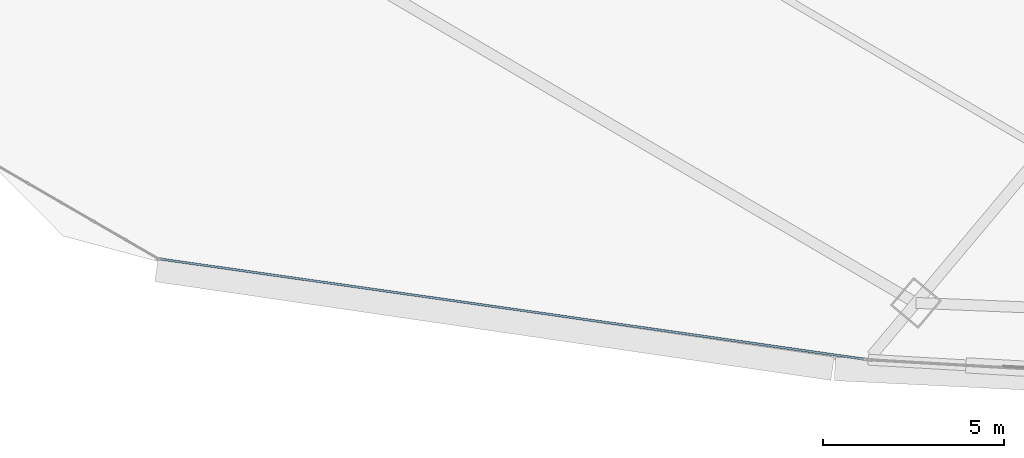
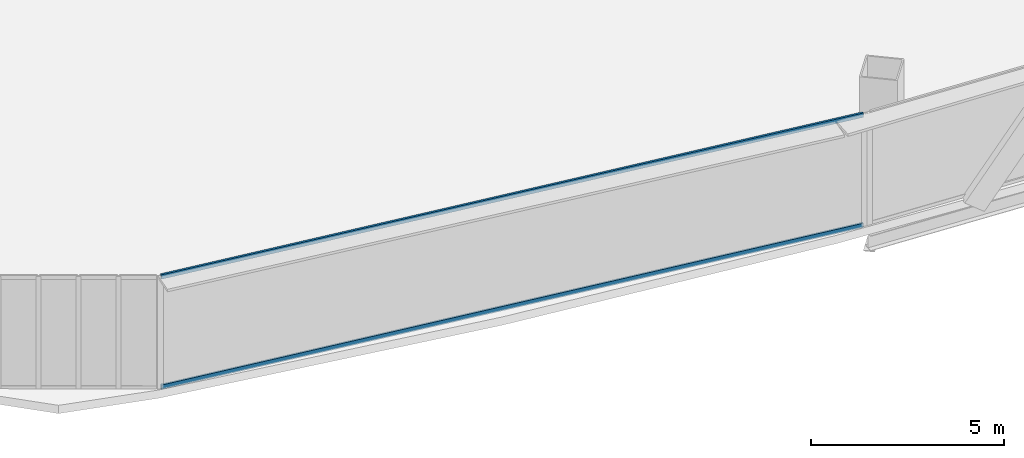
# One storey, part 3 of 39: 2 members, 1 element without a shape of its own.
"""IFC4 building model written with IfcOpenShell, lengths in metres."""

import ifcopenshell
import ifcopenshell.guid

model = None  # the IFC model being written
_history = None  # IfcOwnerHistory: only IFC2X3 demands one
_inside = {}  # id of a spatial element -> (the spatial element, [elements in it])
_under = {}  # id of a project, library or spatial element -> (it, [spatial elements below it])
_declared = {}  # id of a project -> (the project, [libraries it declares])
_typed = {}  # id of a type object -> (the type object, [elements of that type])
_made_of = {}  # id of a material, layer set ... -> (it, [elements and type objects made of it])


def new_model(schema):
    """Start an empty IFC model of exactly this schema.

    Asked for "IFC4X3", IfcOpenShell would pick the latest addendum, in which some entities
    have other attributes; the version numbers below select the first issue.
    IFC2X3 requires an IfcOwnerHistory on every rooted entity: one is made here for all.
    """
    global model, _history
    if schema == "IFC4X3":
        model = ifcopenshell.file(schema_version=(4, 3, 0, 0))
    else:
        model = ifcopenshell.file(schema=schema)
    _inside.clear()
    _under.clear()
    _declared.clear()
    _typed.clear()
    _made_of.clear()
    _history = None
    if model.schema == "IFC2X3":
        org = make("IfcOrganization", Name="unknown")
        user = make(
            "IfcPersonAndOrganization",
            ThePerson=make("IfcPerson", FamilyName="unknown"),
            TheOrganization=org,
        )
        app = make(
            "IfcApplication",
            ApplicationDeveloper=org,
            Version="unknown",
            ApplicationFullName="unknown",
            ApplicationIdentifier="unknown",
        )
        _history = make(
            "IfcOwnerHistory",
            OwningUser=user,
            OwningApplication=app,
            ChangeAction="ADDED",
            CreationDate=0,
        )
    return model


def make(cls, **values):
    """One entity of the class cls with the attributes given. An attribute that is None is left unset."""
    return model.create_entity(
        cls, **{name: value for name, value in values.items() if value is not None}
    )


def rooted(cls, **values):
    """An entity with a GlobalId (a new one), such as an element, a storey or a relation."""
    return make(cls, GlobalId=ifcopenshell.guid.new(), OwnerHistory=_history, **values)


def si_unit(unit_type, name, prefix=None):
    """IfcSIUnit, for example si_unit("LENGTHUNIT", "METRE", prefix="MILLI")."""
    return make("IfcSIUnit", UnitType=unit_type, Prefix=prefix, Name=name)


def assignment(units):
    """IfcUnitAssignment: the units of a project."""
    return None if units is None else make("IfcUnitAssignment", Units=units)


def point(xyz):
    """IfcCartesianPoint."""
    return None if xyz is None else make("IfcCartesianPoint", Coordinates=xyz)


def direction(xyz):
    """IfcDirection."""
    return None if xyz is None else make("IfcDirection", DirectionRatios=xyz)


def frame(location, z_axis=None, x_axis=None):
    """IfcAxis2Placement3D, a coordinate frame: its origin and axes. An axis left out is left unset."""
    return make(
        "IfcAxis2Placement3D",
        Location=point(location),
        Axis=direction(z_axis),
        RefDirection=direction(x_axis),
    )


def frame_2d(location, x_axis=None):
    """IfcAxis2Placement2D, a coordinate frame in the plane: its origin and x axis."""
    return make(
        "IfcAxis2Placement2D", Location=point(location), RefDirection=direction(x_axis)
    )


def origin():
    """The frame at (0, 0, 0) with its axes left unset."""
    return frame((0.0, 0.0, 0.0))


def origin_2d():
    """The frame at (0, 0) in the plane with its x axis left unset."""
    return frame_2d((0.0, 0.0))


def place(relative_to, where):
    """IfcLocalPlacement: puts the frame where relative to a parent placement (None: the world)."""
    return make(
        "IfcLocalPlacement", PlacementRelTo=relative_to, RelativePlacement=where
    )


def context(
    kind, dimensions, precision=None, world=None, true_north=None, identifier=None
):
    """IfcGeometricRepresentationContext, for example the 3D "Model" context."""
    return make(
        "IfcGeometricRepresentationContext",
        ContextIdentifier=identifier,
        ContextType=kind,
        CoordinateSpaceDimension=dimensions,
        Precision=precision,
        WorldCoordinateSystem=world,
        TrueNorth=true_north,
    )


def subcontext(parent, identifier, kind, view, scale=None):
    """IfcGeometricRepresentationSubContext, for example "Body" below "Model"."""
    return make(
        "IfcGeometricRepresentationSubContext",
        ContextIdentifier=identifier,
        ContextType=kind,
        ParentContext=parent,
        TargetScale=scale,
        TargetView=view,
    )


def project(units=None, contexts=None):
    """IfcProject with its units and contexts."""
    return rooted(
        "IfcProject",
        Name="project",
        RepresentationContexts=contexts,
        UnitsInContext=assignment(units),
    )


def spatial(cls, under=None, at=None, **own):
    """A site, building, storey or space (cls), placed at a placement, below another one or the project."""
    s = rooted(cls, ObjectPlacement=at, **own)
    if under is not None:
        _under.setdefault(under.id(), (under, []))[1].append(s)
    return s


def profile(cls, at=None, kind="AREA", **sizes):
    """A parametric profile (cls). Its sizes go by their IFC names, for example OverallWidth=200.0."""
    return make(cls, ProfileType=kind, Position=at, **sizes)


def hollow_rectangle(**sizes):
    """IfcRectangleHollowProfileDef."""
    return profile("IfcRectangleHollowProfileDef", **sizes)


def extrude(swept, where, along, depth):
    """IfcExtrudedAreaSolid: the profile swept, set in the frame where, extruded along a direction by depth."""
    return make(
        "IfcExtrudedAreaSolid",
        SweptArea=swept,
        Position=where,
        ExtrudedDirection=direction(along),
        Depth=depth,
    )


def shape(context_of_items, identifier, shape_type, items):
    """IfcShapeRepresentation: the items that make up one representation, for example the "Body"."""
    return make(
        "IfcShapeRepresentation",
        ContextOfItems=context_of_items,
        RepresentationIdentifier=identifier,
        RepresentationType=shape_type,
        Items=items,
    )


def source(mapping_origin, context_of_items, identifier, shape_type, items):
    """IfcRepresentationMap: a shape defined once, which mapped items show again and again."""
    return make(
        "IfcRepresentationMap",
        MappingOrigin=mapping_origin,
        MappedRepresentation=shape(context_of_items, identifier, shape_type, items),
    )


def transform(
    local_origin,
    x_axis=None,
    y_axis=None,
    z_axis=None,
    scale=None,
    scale2=None,
    scale3=None,
    uniform=True,
):
    """IfcCartesianTransformationOperator3D, or its non-uniform kind. x_axis, y_axis, z_axis: its Axis1, 2, 3."""
    if uniform:
        return make(
            "IfcCartesianTransformationOperator3D",
            Axis1=direction(x_axis),
            Axis2=direction(y_axis),
            LocalOrigin=point(local_origin),
            Scale=scale,
            Axis3=direction(z_axis),
        )
    return make(
        "IfcCartesianTransformationOperator3DnonUniform",
        Axis1=direction(x_axis),
        Axis2=direction(y_axis),
        LocalOrigin=point(local_origin),
        Scale=scale,
        Axis3=direction(z_axis),
        Scale2=scale2,
        Scale3=scale3,
    )


def mapped(mapping_source, mapping_target):
    """IfcMappedItem: shows the shape of a source again, moved by a transform."""
    return make(
        "IfcMappedItem", MappingSource=mapping_source, MappingTarget=mapping_target
    )


def material(Name=None, Category=None):
    """IfcMaterial."""
    return make("IfcMaterial", Name=Name, Category=Category)


def layer(
    of_material, thickness, ventilated=None, Name=None, Category=None, Priority=None
):
    """IfcMaterialLayer: one layer of a wall or slab, of a material (None: an air gap)."""
    return make(
        "IfcMaterialLayer",
        Material=of_material,
        LayerThickness=thickness,
        IsVentilated=ventilated,
        Name=Name,
        Category=Category,
        Priority=Priority,
    )


def layer_set(layers, Name=None):
    """IfcMaterialLayerSet."""
    return make("IfcMaterialLayerSet", MaterialLayers=layers, LayerSetName=Name)


def material_profile(
    of_material, cross_section, Name=None, Category=None, Priority=None
):
    """IfcMaterialProfile: a cross section and its material."""
    return make(
        "IfcMaterialProfile",
        Name=Name,
        Material=of_material,
        Profile=cross_section,
        Priority=Priority,
        Category=Category,
    )


def profile_set(profiles, Name=None, composite=None):
    """IfcMaterialProfileSet."""
    return make(
        "IfcMaterialProfileSet",
        Name=Name,
        MaterialProfiles=profiles,
        CompositeProfile=composite,
    )


def made_of(thing, what):
    """Note that an element or type object is made of a material, layer set ...; save() writes the relation."""
    if what is not None:
        _made_of.setdefault(what.id(), (what, []))[1].append(thing)
    return thing


def type_object(cls, material=None, **own):
    """A type object (cls), such as IfcWallType, which elements share."""
    return made_of(rooted(cls, **own), material)


def element(
    cls,
    number,
    at=None,
    inside=None,
    cuts=None,
    type_object=None,
    material=None,
    context=None,
    identifier="Body",
    shape_type=None,
    held_by="IfcProductDefinitionShape",
    body=None,
    shapes=None,
    **own,
):
    """One element of the class cls, such as IfcWall. Its Tag is "e" and its number.

    at: its placement. inside: the storey or other place that contains it. cuts: it is an
    opening in that element (IfcRelVoidsElement). A single representation is given by context,
    identifier, shape_type and body (its items); several are given by shapes. held_by: the class
    of the entity that holds the representations. save() writes the other relations.
    """
    e = rooted(cls, Tag="e%d" % number, ObjectPlacement=at, **own)
    if body is not None:
        shapes = [shape(context, identifier, shape_type, body)]
    if shapes is not None:
        e.Representation = make(held_by, Representations=shapes)
    if inside is not None:
        _inside.setdefault(inside.id(), (inside, []))[1].append(e)
    if cuts is not None:
        rooted(
            "IfcRelVoidsElement", RelatingBuildingElement=cuts, RelatedOpeningElement=e
        )
    if type_object is not None:
        _typed.setdefault(type_object.id(), (type_object, []))[1].append(e)
    return made_of(e, material)


def aggregate(whole, parts):
    """IfcRelAggregates: a whole, such as a stair, and the parts it consists of."""
    return rooted("IfcRelAggregates", RelatingObject=whole, RelatedObjects=parts)


def save(model, path):
    """Write the relations noted so far, then the file.

    IfcRelAggregates (storeys below a building ...), IfcRelContainedInSpatialStructure (elements
    in a storey), IfcRelDefinesByType, IfcRelAssociatesMaterial and IfcRelDeclares: one each for
    every whole, place, type object, material and project.
    """
    for whole, parts in _under.values():
        aggregate(whole, parts)
    for where, things in _inside.values():
        rooted(
            "IfcRelContainedInSpatialStructure",
            RelatedElements=things,
            RelatingStructure=where,
        )
    for kind, things in _typed.values():
        rooted("IfcRelDefinesByType", RelatedObjects=things, RelatingType=kind)
    for what, things in _made_of.values():
        rooted("IfcRelAssociatesMaterial", RelatedObjects=things, RelatingMaterial=what)
    for by, libraries in _declared.values():
        rooted("IfcRelDeclares", RelatingContext=by, RelatedDefinitions=libraries)
    model.write(path)


model = new_model("IFC4")

# Units and contexts
model_context = context("Model", 3, precision=1e-05, world=origin(), true_north=direction((0.0, 1.0)))
body_context = subcontext(model_context, "Body", "Model", "MODEL_VIEW")
ifc_project = project(units=[si_unit("LENGTHUNIT", "METRE"), si_unit("AREAUNIT", "SQUARE_METRE"), si_unit("VOLUMEUNIT", "CUBIC_METRE"), si_unit("PLANEANGLEUNIT", "RADIAN"), si_unit("MASSUNIT", "GRAM", prefix="KILO"), si_unit("THERMODYNAMICTEMPERATUREUNIT", "KELVIN"), si_unit("POWERUNIT", "WATT")], contexts=[model_context])

# Site, building, storey
site_placement = place(None, origin())
site = spatial("IfcSite", under=ifc_project, at=site_placement, CompositionType="ELEMENT")
building_placement = place(site_placement, origin())
building = spatial("IfcBuilding", under=site, at=building_placement, Name="Yunzhuo Pagoda Commons", CompositionType="ELEMENT")
storey_placement = place(building_placement, frame((0.0, 0.0, 100.179931640625)))
storey = spatial("IfcBuildingStorey", under=building, at=storey_placement, Name="L25", CompositionType="ELEMENT", Elevation=100.179931640625)

# Curtain wall, members
ifc_material = material(Name="Anodized aluminium 6063-T6", Category="aluminium")
ifc_layer = layer(ifc_material, 0.1650390625)
ifc_layer_set = layer_set([ifc_layer], Name="Anodized aluminium 6063-T6")
curtain_wall_type = type_object("IfcCurtainWallType", Name="CW-LOW Low-Zone Ribbon Curtain Wall", PredefinedType="NOTDEFINED", material=ifc_layer_set)
curtain_wall_placement = place(storey_placement, origin())
curtain_wall = element("IfcCurtainWall", 1, at=curtain_wall_placement, inside=storey, type_object=curtain_wall_type, Name="L25 curtain wall CW-L25-F1B1", PredefinedType="NOTDEFINED")
ifc_material_profile = material_profile(ifc_material, hollow_rectangle(XDim=0.06005859375, YDim=0.139892578125, WallThickness=0.00341796875, at=origin_2d()), Name="Anodized aluminium 6063-T6")
ifc_profile_set = profile_set([ifc_material_profile], Name="Anodized aluminium 6063-T6")
member_type = type_object("IfcMemberType", Name="CW-LOW-T Transom RHS 140x60x3.5", PredefinedType="USERDEFINED", material=ifc_profile_set)
shared_shape = source(origin(), body_context, "Body", "SweptSolid", [
    extrude(hollow_rectangle(XDim=0.06005859375, YDim=0.139892578125, WallThickness=0.00341796875, at=origin_2d()), origin(), (0.0, 0.0, 1.0), 19.56298828125),
])
member_1_placement = place(storey_placement, frame((10.744140625, 15.32080078125, 0.030029296875), z_axis=(0.990043868735, -0.140759148836, 0.0), x_axis=(0.140759148836, 0.990043868735, 0.0)))
member_1 = element("IfcMember", 2, at=member_1_placement, type_object=member_type, Name="CW transom 1.1", ObjectType="TRANSOM", PredefinedType="USERDEFINED", context=body_context, shape_type="MappedRepresentation", body=[
    mapped(shared_shape, transform((0.0, 0.0, 0.0), scale=1.0)),
])
member_2_placement = place(storey_placement, frame((10.744140625, 15.32080078125, 3.510009765625), z_axis=(0.990043868735, -0.140759148836, 0.0), x_axis=(0.140759148836, 0.990043868735, 0.0)))
member_2 = element("IfcMember", 3, at=member_2_placement, type_object=member_type, Name="CW transom 1.2", ObjectType="TRANSOM", PredefinedType="USERDEFINED", context=body_context, shape_type="MappedRepresentation", body=[
    mapped(shared_shape, transform((0.0, 0.0, 0.0), scale=1.0)),
])
aggregate(curtain_wall, [member_1, member_2])

save(model, "model.ifc")
